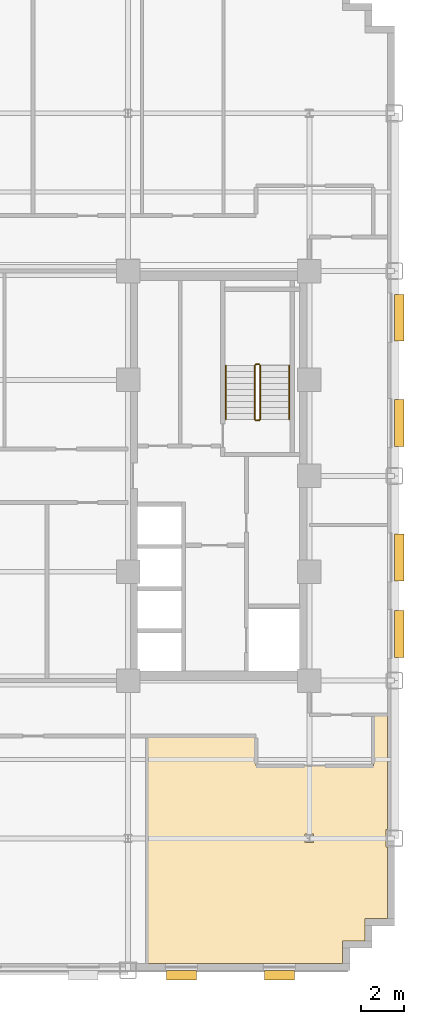
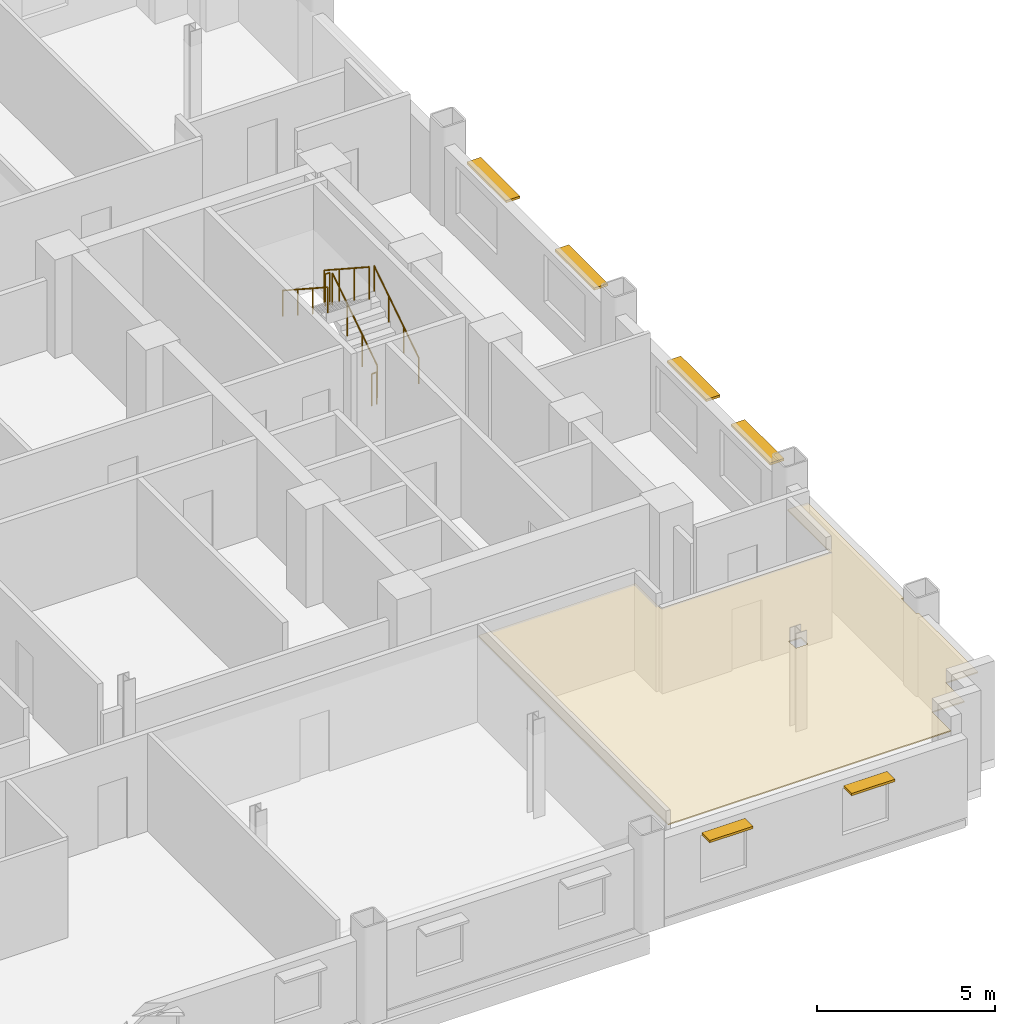
# One storey, part 12 of 13: 6 railings, 6 shading devices, 1 covering.
"""IFC4 building model written with IfcOpenShell, lengths in metres."""

from ifc_helpers import new_model, si_unit, direction, frame, origin, origin_2d, place, context, subcontext, project, spatial, polyline, rectangle, circle, outline, extrude, source, transform, mapped, material, layer, layer_set, type_object, type_shapes, element, save


model = new_model("IFC4")

# Units and contexts
model_context = context("Model", 3, precision=1e-05, world=origin(), true_north=direction((0.0, 1.0)))
body_context = subcontext(model_context, "Body", "Model", "MODEL_VIEW")
ifc_project = project(units=[si_unit("LENGTHUNIT", "METRE"), si_unit("AREAUNIT", "SQUARE_METRE"), si_unit("VOLUMEUNIT", "CUBIC_METRE"), si_unit("PLANEANGLEUNIT", "RADIAN"), si_unit("MASSUNIT", "GRAM", prefix="KILO")], contexts=[model_context])

# Site, building, storey
site_placement = place(None, origin())
site = spatial("IfcSite", under=ifc_project, at=site_placement, CompositionType="ELEMENT")
building_placement = place(site_placement, origin())
building = spatial("IfcBuilding", under=site, at=building_placement, Name="Nuvemarco Arch Tower", CompositionType="ELEMENT")
storey_placement = place(building_placement, frame((0.0, 0.0, 78.699951171875)))
storey = spatial("IfcBuildingStorey", under=building, at=storey_placement, Name="L20", CompositionType="ELEMENT", Elevation=78.699951171875)

# Covering
ifc_material_1 = material(Name="Mineral acoustic ceiling tile")
ifc_layer = layer(ifc_material_1, 0.0400390625, Name="COV-ACOUSTIC-CLG")
ifc_layer_set = layer_set([ifc_layer], Name="Mineral acoustic ceiling tile")
covering_type = type_object("IfcCoveringType", Name="COV-ACOUSTIC-CLG", PredefinedType="CEILING", material=ifc_layer_set)
covering_placement = place(storey_placement, frame((0.0, 0.0, 2.85009765625)))
element("IfcCovering", 1, at=covering_placement, inside=storey, type_object=covering_type, Name="L20 suspended acoustic ceiling 3", PredefinedType="CEILING", context=body_context, shape_type="SweptSolid", body=[
    extrude(outline(polyline([(19.06005859375, -22.860107421875), (9.89990234375, -22.860107421875), (9.89990234375, -12.199951171875), (15.0, -12.199951171875), (15.0, -13.60009765625), (20.5, -13.60009765625), (20.5, -11.199951171875), (21.159912109375, -11.199951171875), (21.159912109375, -16.5849609375), (21.0849609375, -16.5849609375), (21.0849609375, -17.4150390625), (21.159912109375, -17.4150390625), (21.159912109375, -20.760009765625), (20.110107421875, -20.760009765625), (20.110107421875, -21.81005859375), (19.06005859375, -21.81005859375), (19.06005859375, -22.860107421875)]), holes=[polyline([(17.695068359375, -17.195068359375), (17.695068359375, -16.804931640625), (17.304931640625, -16.804931640625), (17.304931640625, -17.195068359375), (17.695068359375, -17.195068359375)])]), origin(), (0.0, 0.0, 1.0), 0.0400390625),
])

# Railings
ifc_material_2 = material(Name="Brushed stainless steel handrail", Category="steel")
railing_type_1 = type_object("IfcRailingType", Name="RL-HANDRAIL-900", PredefinedType="HANDRAIL", material=ifc_material_2)
railing_1_placement = place(storey_placement, frame((16.550048828125, 2.64990234375, 0.1826171875)))
element("IfcRailing", 2, at=railing_1_placement, inside=storey, type_object=railing_type_1, Name="L20 ST-2 stair handrail 1", PredefinedType="HANDRAIL", context=body_context, shape_type="SweptSolid", body=[
    extrude(circle(Radius=0.02392578125, at=origin_2d()), frame((0.0, 0.0, 0.8759765625), z_axis=(0.0, 0.837786554691, 0.545997883492), x_axis=(-1.0, 0.0, 0.0)), (0.0, 0.0, 1.0), 3.008056640625),
    extrude(circle(Radius=0.02099609375, at=origin_2d()), origin(), (0.0, 0.0, 1.0), 0.851806640625),
    extrude(circle(Radius=0.02099609375, at=origin_2d()), frame((0.0, 0.840087890625, 0.54736328125)), (0.0, 0.0, 1.0), 0.851806640625),
    extrude(circle(Radius=0.02099609375, at=origin_2d()), frame((0.0, 1.679931640625, 1.094970703125)), (0.0, 0.0, 1.0), 0.851806640625),
    extrude(circle(Radius=0.02099609375, at=origin_2d()), frame((0.0, 2.52001953125, 1.642333984375)), (0.0, 0.0, 1.0), 0.851806640625),
])
railing_2_placement = place(storey_placement, frame((13.590087890625, 5.169921875, 2.007568359375)))
element("IfcRailing", 3, at=railing_2_placement, inside=storey, type_object=railing_type_1, Name="L20 ST-2 stair handrail 2", PredefinedType="HANDRAIL", context=body_context, shape_type="SweptSolid", body=[
    extrude(circle(Radius=0.02392578125, at=origin_2d()), frame((0.0, 0.0, 0.8759765625), z_axis=(0.0, -0.837749427056, 0.546054848405), x_axis=(1.0, 0.0, 0.0)), (0.0, 0.0, 1.0), 3.008056640625),
    extrude(circle(Radius=0.02099609375, at=origin_2d()), origin(), (0.0, 0.0, 1.0), 0.851806640625),
    extrude(circle(Radius=0.02099609375, at=origin_2d()), frame((0.0, -0.840087890625, 0.547607421875)), (0.0, 0.0, 1.0), 0.851806640625),
    extrude(circle(Radius=0.02099609375, at=origin_2d()), frame((0.0, -1.679931640625, 1.094970703125)), (0.0, 0.0, 1.0), 0.851806640625),
    extrude(circle(Radius=0.02099609375, at=origin_2d()), frame((0.0, -2.52001953125, 1.642578125)), (0.0, 0.0, 1.0), 0.851806640625),
])
ifc_material_3 = material(Name="Painted balustrade steel S355", Category="steel")
railing_type_2 = type_object("IfcRailingType", Name="RL-STAIR-GUARD", PredefinedType="GUARDRAIL", material=ifc_material_3)
railing_3_placement = place(storey_placement, frame((15.199951171875, 2.64990234375, 0.1826171875)))
element("IfcRailing", 4, at=railing_3_placement, inside=storey, type_object=railing_type_2, Name="L20 ST-2 stair guard 1", PredefinedType="GUARDRAIL", context=body_context, shape_type="SweptSolid", body=[
    extrude(circle(Radius=0.02392578125, at=origin_2d()), frame((0.0, 0.0, 1.09619140625), z_axis=(0.0, 0.837786554691, 0.545997883492), x_axis=(-1.0, 0.0, 0.0)), (0.0, 0.0, 1.0), 3.008056640625),
    extrude(circle(Radius=0.02099609375, at=origin_2d()), origin(), (0.0, 0.0, 1.0), 1.072021484375),
    extrude(circle(Radius=0.02099609375, at=origin_2d()), frame((0.0, 0.840087890625, 0.54736328125)), (0.0, 0.0, 1.0), 1.072021484375),
    extrude(circle(Radius=0.02099609375, at=origin_2d()), frame((0.0, 1.679931640625, 1.094970703125)), (0.0, 0.0, 1.0), 1.072021484375),
    extrude(circle(Radius=0.02099609375, at=origin_2d()), frame((0.0, 2.52001953125, 1.642333984375)), (0.0, 0.0, 1.0), 1.072021484375),
])
railing_4_placement = place(storey_placement, frame((15.14990234375, 5.219970703125, 1.824951171875)))
element("IfcRailing", 5, at=railing_4_placement, inside=storey, type_object=railing_type_2, Name="L20 ST-2 stair guard 2", PredefinedType="GUARDRAIL", context=body_context, shape_type="SweptSolid", body=[
    extrude(circle(Radius=0.02392578125, at=origin_2d()), frame((0.0, 0.0, 1.09619140625), z_axis=(-1.0, 0.0, 0.0), x_axis=(0.0, -1.0, 0.0)), (0.0, 0.0, 1.0), 0.159912109375),
    extrude(circle(Radius=0.02099609375, at=origin_2d()), origin(), (0.0, 0.0, 1.0), 1.072021484375),
    extrude(circle(Radius=0.02099609375, at=origin_2d()), frame((-0.159912109375, 0.0, 0.0)), (0.0, 0.0, 1.0), 1.072021484375),
])
railing_5_placement = place(storey_placement, frame((14.93994140625, 5.169921875, 2.007568359375)))
element("IfcRailing", 6, at=railing_5_placement, inside=storey, type_object=railing_type_2, Name="L20 ST-2 stair guard 3", PredefinedType="GUARDRAIL", context=body_context, shape_type="SweptSolid", body=[
    extrude(circle(Radius=0.02392578125, at=origin_2d()), frame((0.0, 0.0, 1.09619140625), z_axis=(0.0, -0.837749427056, 0.546054848405), x_axis=(1.0, 0.0, 0.0)), (0.0, 0.0, 1.0), 3.008056640625),
    extrude(circle(Radius=0.02099609375, at=origin_2d()), origin(), (0.0, 0.0, 1.0), 1.072021484375),
    extrude(circle(Radius=0.02099609375, at=origin_2d()), frame((0.0, -0.840087890625, 0.547607421875)), (0.0, 0.0, 1.0), 1.072021484375),
    extrude(circle(Radius=0.02099609375, at=origin_2d()), frame((0.0, -1.679931640625, 1.094970703125)), (0.0, 0.0, 1.0), 1.072021484375),
    extrude(circle(Radius=0.02099609375, at=origin_2d()), frame((0.0, -2.52001953125, 1.642578125)), (0.0, 0.0, 1.0), 1.072021484375),
])
railing_6_placement = place(storey_placement, frame((15.14990234375, 2.60009765625, 0.0)))
element("IfcRailing", 7, at=railing_6_placement, inside=storey, type_object=railing_type_2, Name="L20 ST-2 stair guard 4", PredefinedType="GUARDRAIL", context=body_context, shape_type="SweptSolid", body=[
    extrude(circle(Radius=0.02392578125, at=origin_2d()), frame((0.0, 0.0, 1.09619140625), z_axis=(-1.0, 0.0, 0.0), x_axis=(0.0, -1.0, 0.0)), (0.0, 0.0, 1.0), 0.159912109375),
    extrude(circle(Radius=0.02099609375, at=origin_2d()), origin(), (0.0, 0.0, 1.0), 1.072021484375),
    extrude(circle(Radius=0.02099609375, at=origin_2d()), frame((-0.159912109375, 0.0, 0.0)), (0.0, 0.0, 1.0), 1.072021484375),
])

# Shading devices
ifc_material_4 = material(Name="Anodised aluminium 6063-T6", Category="aluminium")
shading_device_type_1 = type_object("IfcShadingDeviceType", Name="SHD-BRISE-SOLEIL", PredefinedType="USERDEFINED", material=ifc_material_4)
shared_shape_1 = source(origin(), body_context, "Body", "SweptSolid", [
    extrude(rectangle(XDim=2.199951171875, YDim=0.449951171875, at=origin_2d()), origin(), (0.0, 0.0, 1.0), 0.080078125),
])
type_shapes(shading_device_type_1, [shared_shape_1])
for number, where, z_axis, x_axis, name in (
    (8, (21.715087890625, -7.41162109375, 2.425048828125), (0.0, 0.0, 1.0), (0.0, 1.0, 0.0), "L20 horizontal brise-soleil sunshade"),
    (9, (21.715087890625, -3.820556640625, 2.425048828125), (0.0, 0.0, 1.0), (0.0, 1.0, 0.0), "L20 horizontal brise-soleil sunshade"),
    (10, (21.715087890625, 2.470458984375, 2.425048828125), (0.0, 0.0, 1.0), (0.0, 1.0, 0.0), "L20 horizontal brise-soleil sunshade"),
    (11, (21.715087890625, 7.41162109375, 2.425048828125), (0.0, 0.0, 1.0), (0.0, 1.0, 0.0), "L20 horizontal brise-soleil sunshade"),
):
    element("IfcShadingDevice", number, at=place(storey_placement, frame(where, z_axis=z_axis, x_axis=x_axis)), inside=storey, type_object=shading_device_type_1, Name=name, ObjectType="SUNSHADE", PredefinedType="USERDEFINED", context=body_context, shape_type="MappedRepresentation", body=[
        mapped(shared_shape_1, transform((0.0, 0.0, 0.0), scale=1.0)),
    ])
shading_device_type_2 = type_object("IfcShadingDeviceType", Name="SHD-BRISE-NARROW", PredefinedType="USERDEFINED", material=ifc_material_4)
shared_shape_2 = source(origin(), body_context, "Body", "SweptSolid", [
    extrude(rectangle(XDim=1.39990234375, YDim=0.449951171875, at=origin_2d()), origin(), (0.0, 0.0, 1.0), 0.080078125),
])
type_shapes(shading_device_type_2, [shared_shape_2])
for number, where, z_axis, x_axis, name in (
    (12, (11.5, -23.4150390625, 2.405029296875), (0.0, 0.0, 1.0), (1.0, 0.0, 0.0), "L20 horizontal brise-soleil sunshade"),
    (13, (16.10009765625, -23.4150390625, 2.405029296875), (0.0, 0.0, 1.0), (1.0, 0.0, 0.0), "L20 horizontal brise-soleil sunshade"),
):
    element("IfcShadingDevice", number, at=place(storey_placement, frame(where, z_axis=z_axis, x_axis=x_axis)), inside=storey, type_object=shading_device_type_2, Name=name, ObjectType="SUNSHADE", PredefinedType="USERDEFINED", context=body_context, shape_type="MappedRepresentation", body=[
        mapped(shared_shape_2, transform((0.0, 0.0, 0.0), scale=1.0)),
    ])

save(model, "model.ifc")
